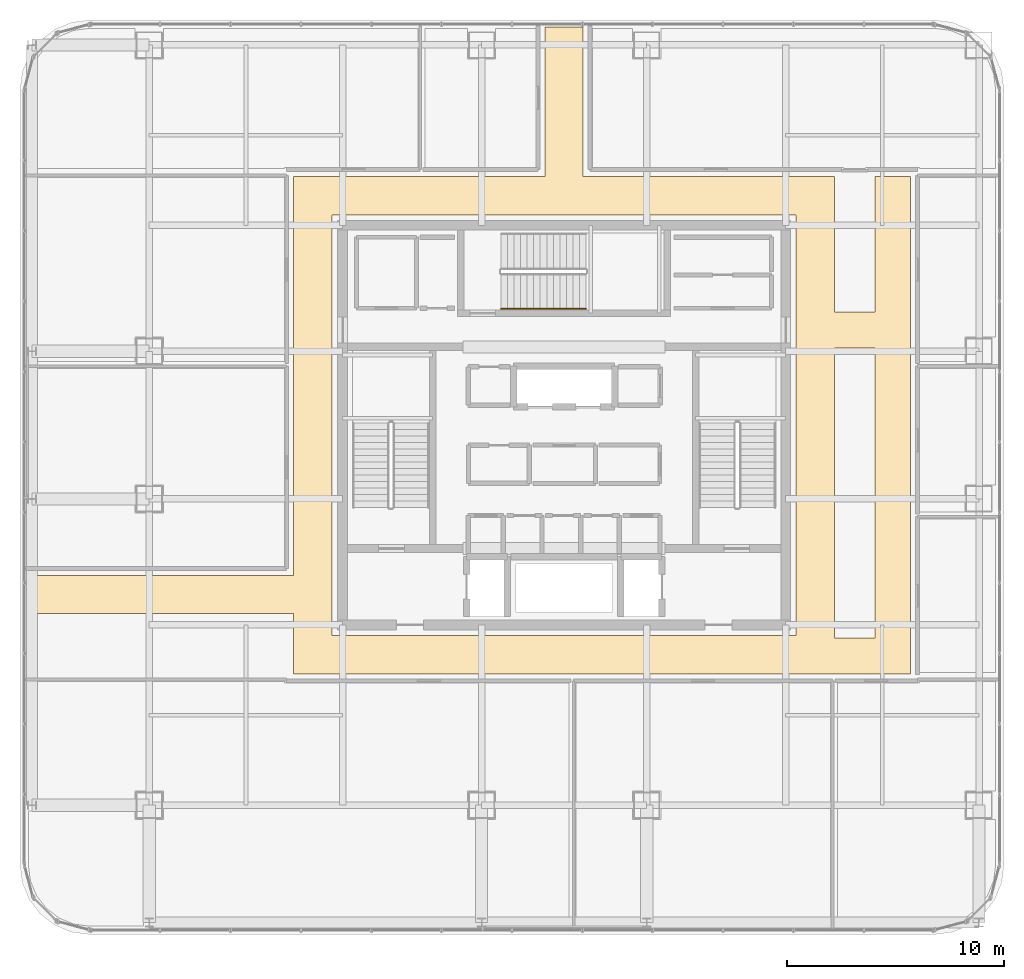
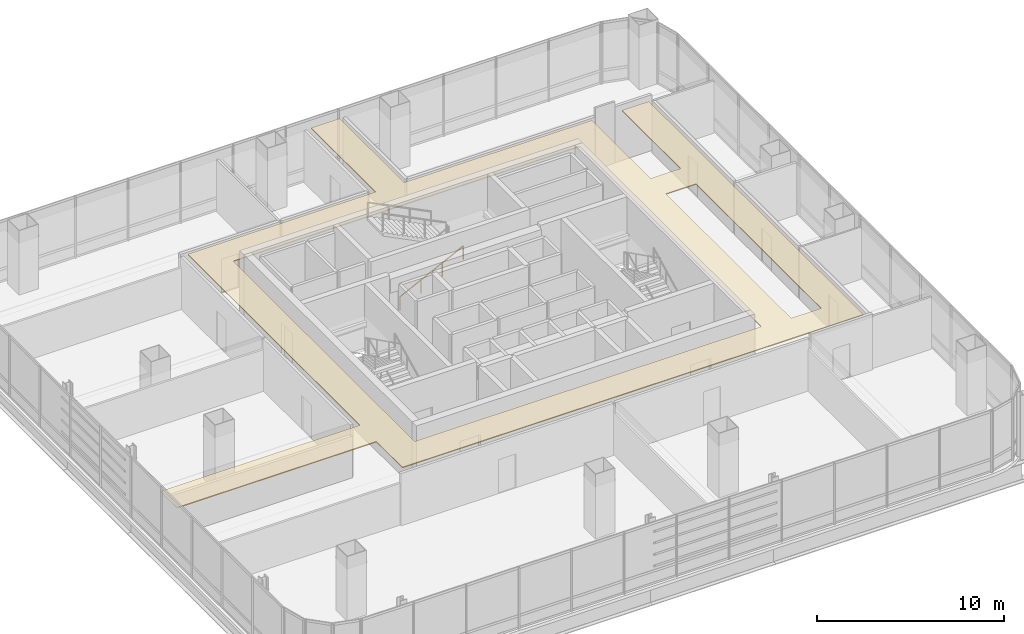
# One storey, part 41 of 43: 1 covering, 1 railing.
"""IFC4 building model written with IfcOpenShell, lengths in metres."""

from ifc_helpers import new_model, si_unit, direction, frame, origin, origin_2d, place, context, subcontext, project, spatial, polyline, circle, outline, extrude, material, layer, layer_set, type_object, element, save


model = new_model("IFC4")

# Units and contexts
model_context = context("Model", 3, precision=1e-05, world=origin(), true_north=direction((0.0, 1.0)))
body_context = subcontext(model_context, "Body", "Model", "MODEL_VIEW")
ifc_project = project(units=[si_unit("LENGTHUNIT", "METRE"), si_unit("AREAUNIT", "SQUARE_METRE"), si_unit("VOLUMEUNIT", "CUBIC_METRE"), si_unit("PLANEANGLEUNIT", "RADIAN"), si_unit("MASSUNIT", "GRAM", prefix="KILO")], contexts=[model_context])

# Site, building, storey
site_placement = place(None, origin())
site = spatial("IfcSite", under=ifc_project, at=site_placement, CompositionType="ELEMENT")
building_placement = place(site_placement, origin())
building = spatial("IfcBuilding", under=site, at=building_placement, Name="Punatoya Terracotta Tower", CompositionType="ELEMENT")
storey_placement = place(building_placement, frame((0.0, 0.0, 321.60009765625)))
storey = spatial("IfcBuildingStorey", under=building, at=storey_placement, Name="L76", CompositionType="ELEMENT", Elevation=321.60009765625)

# Covering
ifc_material_1 = material(Name="Acoustic Mineral Fibre Ceiling")
ifc_layer = layer(ifc_material_1, 0.06005859375)
ifc_layer_set = layer_set([ifc_layer], Name="Acoustic Mineral Fibre Ceiling")
covering_type = type_object("IfcCoveringType", Name="COV-CEIL-60", PredefinedType="CEILING", material=ifc_layer_set)
covering_placement = place(storey_placement, frame((0.0, 0.0, 3.389892578125)))
element("IfcCovering", 1, at=covering_placement, inside=storey, type_object=covering_type, Name="L76 Executive Circulation Corridor Acoustic Ceiling", PredefinedType="CEILING", context=body_context, shape_type="SweptSolid", body=[
    extrude(outline(polyline([(-12.449951171875, -6.919921875), (-24.72998046875, -6.919921875), (-24.72998046875, -8.679931640625), (-12.449951171875, -8.679931640625), (-12.449951171875, -11.449951171875), (15.949951171875, -11.449951171875), (15.949951171875, 11.449951171875), (14.300048828125, 11.449951171875), (14.300048828125, 5.199951171875), (12.449951171875, 5.199951171875), (12.449951171875, 11.449951171875), (0.8798828125, 11.449951171875), (0.8798828125, 18.330078125), (-0.8798828125, 18.330078125), (-0.8798828125, 11.449951171875), (-12.449951171875, 11.449951171875), (-12.449951171875, -6.919921875)]), holes=[polyline([(14.300048828125, -9.800048828125), (12.449951171875, -9.800048828125), (12.449951171875, 3.550048828125), (14.300048828125, 3.550048828125), (14.300048828125, -9.800048828125)]), polyline([(10.679931640625, 9.679931640625), (10.679931640625, -9.679931640625), (-10.679931640625, -9.679931640625), (-10.679931640625, 9.679931640625), (10.679931640625, 9.679931640625)])]), origin(), (0.0, 0.0, 1.0), 0.06005859375),
])

# Railing
ifc_material_2 = material(Name="Steel S355", Category="steel")
railing_type = type_object("IfcRailingType", Name="RLG-HND-900", PredefinedType="HANDRAIL", material=ifc_material_2)
railing_placement = place(storey_placement, frame((-2.89990234375, 5.35009765625, 0.14990234375)))
element("IfcRailing", 2, at=railing_placement, inside=storey, type_object=railing_type, Name="L76 ST-3 stair handrail 1", PredefinedType="HANDRAIL", context=body_context, shape_type="SweptSolid", body=[
    extrude(circle(Radius=0.02392578125, at=origin_2d()), frame((0.0, 0.0, 0.8759765625), z_axis=(0.894427191, 0.0, 0.4472135955), x_axis=(0.0, 1.0, 0.0)), (0.0, 0.0, 1.0), 4.360107421875),
    extrude(circle(Radius=0.02099609375, at=origin_2d()), origin(), (0.0, 0.0, 1.0), 0.851806640625),
    extrude(circle(Radius=0.02099609375, at=origin_2d()), frame((1.300048828125, 0.0, 0.64990234375)), (0.0, 0.0, 1.0), 0.851806640625),
    extrude(circle(Radius=0.02099609375, at=origin_2d()), frame((2.599853515625, 0.0, 1.300048828125)), (0.0, 0.0, 1.0), 0.851806640625),
    extrude(circle(Radius=0.02099609375, at=origin_2d()), frame((3.89990234375, 0.0, 1.949951171875)), (0.0, 0.0, 1.0), 0.851806640625),
])

save(model, "model.ifc")
